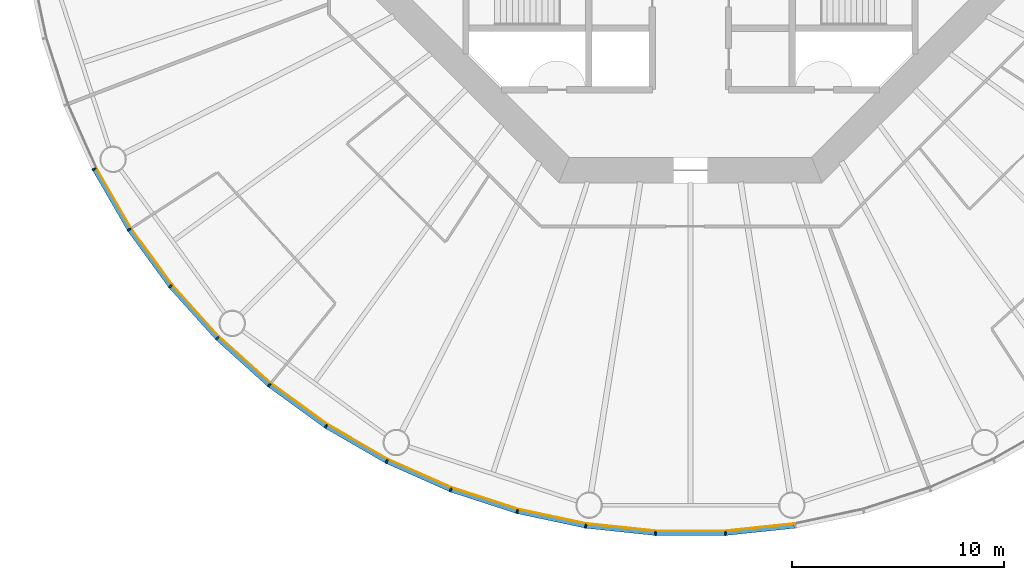
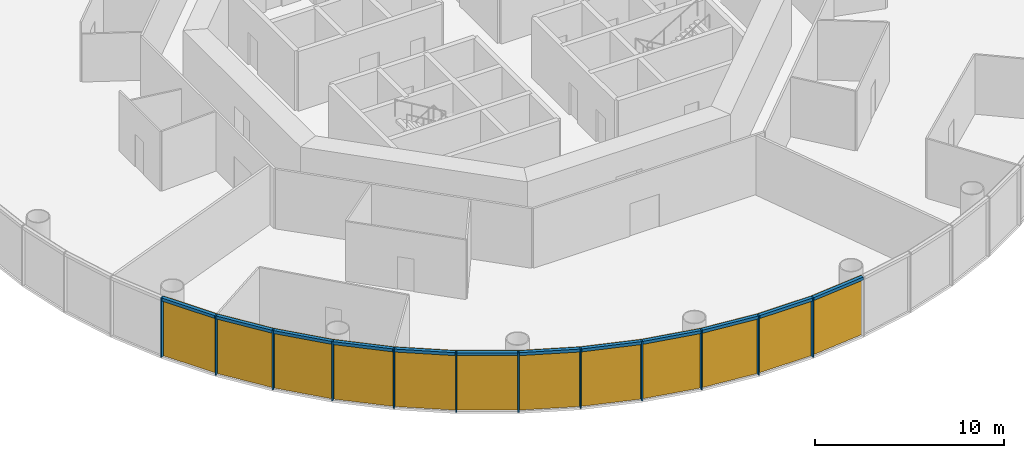
# One storey, part 7 of 13: 24 members, 4 curtain walls.
"""IFC4 building model written with IfcOpenShell, lengths in metres."""

from ifc_helpers import new_model, si_unit, direction, frame, origin, origin_2d, place, context, subcontext, project, spatial, polyline, rectangle, outline, extrude, material, layer, layer_set, material_profile, profile_set, type_object, element, aggregate, save


model = new_model("IFC4")

# Units and contexts
model_context = context("Model", 3, precision=1e-05, world=origin(), true_north=direction((0.0, 1.0)))
body_context = subcontext(model_context, "Body", "Model", "MODEL_VIEW")
ifc_project = project(units=[si_unit("LENGTHUNIT", "METRE"), si_unit("AREAUNIT", "SQUARE_METRE"), si_unit("VOLUMEUNIT", "CUBIC_METRE"), si_unit("PLANEANGLEUNIT", "RADIAN"), si_unit("MASSUNIT", "GRAM", prefix="KILO")], contexts=[model_context])

# Member
ifc_material_1 = material(Name="Anodised aluminium", Category="aluminium")
ifc_material_profile_1 = material_profile(ifc_material_1, rectangle(XDim=0.070068359375, YDim=0.199951171875, at=origin_2d()), Name="Mullion 70 x 200 mm anodised aluminium")
ifc_profile_set_1 = profile_set([ifc_material_profile_1], Name="Anodised aluminium")
member_type_1 = type_object("IfcMemberType", Name="Mullion 70 x 200 mm anodised aluminium", PredefinedType="MULLION", material=ifc_profile_set_1)
site_placement = place(None, origin())
building_placement = place(site_placement, origin())
storey_placement = place(building_placement, frame((0.0, 0.0, 104.0)))
member_1_placement = place(storey_placement, frame((61.84423828125, 65.65380859375, 0.0), z_axis=(0.0, 0.0, 1.0), x_axis=(0.45399049974, -0.891006524188, 0.0)))
member_1 = element("IfcMember", 1, at=member_1_placement, type_object=member_type_1, Name="MULLION L23-33", PredefinedType="MULLION", context=body_context, shape_type="SweptSolid", body=[
    extrude(rectangle(XDim=0.070068359375, YDim=0.199951171875, at=origin_2d()), origin(), (0.0, 0.0, 1.0), 3.85009765625),
])

member_2_placement = place(storey_placement, frame((63.498046875, 62.789306640625, 0.0), z_axis=(0.0, 0.0, 1.0), x_axis=(0.544639035015, -0.838670567945, 0.0)))
member_2 = element("IfcMember", 2, at=member_2_placement, type_object=member_type_1, Name="MULLION L23-34", PredefinedType="MULLION", context=body_context, shape_type="SweptSolid", body=[
    extrude(rectangle(XDim=0.070068359375, YDim=0.199951171875, at=origin_2d()), origin(), (0.0, 0.0, 1.0), 3.85009765625),
])

member_3_placement = place(storey_placement, frame((65.442138671875, 60.113525390625, 0.0), z_axis=(0.0, 0.0, 1.0), x_axis=(0.62932039105, -0.777145961457, 0.0)))
member_3 = element("IfcMember", 3, at=member_3_placement, type_object=member_type_1, Name="MULLION L23-35", PredefinedType="MULLION", context=body_context, shape_type="SweptSolid", body=[
    extrude(rectangle(XDim=0.070068359375, YDim=0.199951171875, at=origin_2d()), origin(), (0.0, 0.0, 1.0), 3.85009765625),
])

member_4_placement = place(storey_placement, frame((67.655517578125, 57.655517578125, 0.0), z_axis=(0.0, 0.0, 1.0), x_axis=(0.707106781187, -0.707106781187, 0.0)))
member_4 = element("IfcMember", 4, at=member_4_placement, type_object=member_type_1, Name="MULLION L23-36", PredefinedType="MULLION", context=body_context, shape_type="SweptSolid", body=[
    extrude(rectangle(XDim=0.070068359375, YDim=0.199951171875, at=origin_2d()), origin(), (0.0, 0.0, 1.0), 3.85009765625),
])

member_5_placement = place(storey_placement, frame((70.113525390625, 55.442138671875, 0.0), z_axis=(0.0, 0.0, 1.0), x_axis=(0.777145961457, -0.62932039105, 0.0)))
member_5 = element("IfcMember", 5, at=member_5_placement, type_object=member_type_1, Name="MULLION L23-37", PredefinedType="MULLION", context=body_context, shape_type="SweptSolid", body=[
    extrude(rectangle(XDim=0.070068359375, YDim=0.199951171875, at=origin_2d()), origin(), (0.0, 0.0, 1.0), 3.85009765625),
])

member_6_placement = place(storey_placement, frame((72.789306640625, 53.498046875, 0.0), z_axis=(0.0, 0.0, 1.0), x_axis=(0.838670567945, -0.544639035015, 0.0)))
member_6 = element("IfcMember", 6, at=member_6_placement, type_object=member_type_1, Name="MULLION L23-38", PredefinedType="MULLION", context=body_context, shape_type="SweptSolid", body=[
    extrude(rectangle(XDim=0.070068359375, YDim=0.199951171875, at=origin_2d()), origin(), (0.0, 0.0, 1.0), 3.85009765625),
])

member_7_placement = place(storey_placement, frame((75.65380859375, 51.84423828125, 0.0), z_axis=(0.0, 0.0, 1.0), x_axis=(0.891006524188, -0.45399049974, 0.0)))
member_7 = element("IfcMember", 7, at=member_7_placement, type_object=member_type_1, Name="MULLION L23-39", PredefinedType="MULLION", context=body_context, shape_type="SweptSolid", body=[
    extrude(rectangle(XDim=0.070068359375, YDim=0.199951171875, at=origin_2d()), origin(), (0.0, 0.0, 1.0), 3.85009765625),
])

member_8_placement = place(storey_placement, frame((78.675537109375, 50.498779296875, 0.0), z_axis=(0.0, 0.0, 1.0), x_axis=(0.933580426497, -0.358367949545, 0.0)))
member_8 = element("IfcMember", 8, at=member_8_placement, type_object=member_type_1, Name="MULLION L23-40", PredefinedType="MULLION", context=body_context, shape_type="SweptSolid", body=[
    extrude(rectangle(XDim=0.070068359375, YDim=0.199951171875, at=origin_2d()), origin(), (0.0, 0.0, 1.0), 3.85009765625),
])

member_9_placement = place(storey_placement, frame((81.8212890625, 49.476806640625, 0.0), z_axis=(0.0, 0.0, 1.0), x_axis=(0.965925826289, -0.258819045103, 0.0)))
member_9 = element("IfcMember", 9, at=member_9_placement, type_object=member_type_1, Name="MULLION L23-41", PredefinedType="MULLION", context=body_context, shape_type="SweptSolid", body=[
    extrude(rectangle(XDim=0.070068359375, YDim=0.199951171875, at=origin_2d()), origin(), (0.0, 0.0, 1.0), 3.85009765625),
])

member_10_placement = place(storey_placement, frame((85.056640625, 48.7890625, 0.0), z_axis=(0.0, 0.0, 1.0), x_axis=(0.987688340595, -0.15643446504, 0.0)))
member_10 = element("IfcMember", 10, at=member_10_placement, type_object=member_type_1, Name="MULLION L23-42", PredefinedType="MULLION", context=body_context, shape_type="SweptSolid", body=[
    extrude(rectangle(XDim=0.070068359375, YDim=0.199951171875, at=origin_2d()), origin(), (0.0, 0.0, 1.0), 3.85009765625),
])

member_11_placement = place(storey_placement, frame((88.34619140625, 48.443359375, 0.0), z_axis=(0.0, 0.0, 1.0), x_axis=(0.998629534755, -0.052335956243, 0.0)))
member_11 = element("IfcMember", 11, at=member_11_placement, type_object=member_type_1, Name="MULLION L23-43", PredefinedType="MULLION", context=body_context, shape_type="SweptSolid", body=[
    extrude(rectangle(XDim=0.070068359375, YDim=0.199951171875, at=origin_2d()), origin(), (0.0, 0.0, 1.0), 3.85009765625),
])

member_12_placement = place(storey_placement, frame((91.65380859375, 48.443359375, 0.0), z_axis=(0.0, 0.0, 1.0), x_axis=(0.998629534755, 0.052335956243, 0.0)))
member_12 = element("IfcMember", 12, at=member_12_placement, type_object=member_type_1, Name="MULLION L23-44", PredefinedType="MULLION", context=body_context, shape_type="SweptSolid", body=[
    extrude(rectangle(XDim=0.070068359375, YDim=0.199951171875, at=origin_2d()), origin(), (0.0, 0.0, 1.0), 3.85009765625),
])

ifc_material_2 = material(Name="Anodised aluminium", Category="aluminium")
ifc_material_profile_2 = material_profile(ifc_material_2, rectangle(XDim=0.199951171875, YDim=0.18994140625, at=origin_2d()), Name="Transom 190 x 200 mm anodised aluminium")
ifc_profile_set_2 = profile_set([ifc_material_profile_2], Name="Anodised aluminium")
member_type_2 = type_object("IfcMemberType", Name="Transom 190 x 200 mm anodised aluminium", PredefinedType="USERDEFINED", material=ifc_profile_set_2)
member_13_placement = place(storey_placement, frame((61.8642578125, 65.618896484375, 3.7548828125), z_axis=(0.500004055213, -0.866023062494, 0.0), x_axis=(0.866023062494, 0.500004055213, 0.0)))
member_13 = element("IfcMember", 13, at=member_13_placement, type_object=member_type_2, Name="TRANSOM L23-33", ObjectType="TRANSOM", PredefinedType="USERDEFINED", context=body_context, shape_type="SweptSolid", body=[
    extrude(rectangle(XDim=0.199951171875, YDim=0.18994140625, at=origin_2d()), origin(), (0.0, 0.0, 1.0), 3.22705078125),
])

member_14_placement = place(storey_placement, frame((63.521484375, 62.7568359375, 3.7548828125), z_axis=(0.587802790201, -0.809004252048, 0.0), x_axis=(0.809004252048, 0.587802790201, 0.0)))
member_14 = element("IfcMember", 14, at=member_14_placement, type_object=member_type_2, Name="TRANSOM L23-34", ObjectType="TRANSOM", PredefinedType="USERDEFINED", context=body_context, shape_type="SweptSolid", body=[
    extrude(rectangle(XDim=0.199951171875, YDim=0.18994140625, at=origin_2d()), origin(), (0.0, 0.0, 1.0), 3.227294921875),
])

member_15_placement = place(storey_placement, frame((65.468994140625, 60.08349609375, 3.7548828125), z_axis=(0.669144438484, -0.743132370743, 0.0), x_axis=(0.743132370743, 0.669144438484, 0.0)))
member_15 = element("IfcMember", 15, at=member_15_placement, type_object=member_type_2, Name="TRANSOM L23-35", ObjectType="TRANSOM", PredefinedType="USERDEFINED", context=body_context, shape_type="SweptSolid", body=[
    extrude(rectangle(XDim=0.199951171875, YDim=0.18994140625, at=origin_2d()), origin(), (0.0, 0.0, 1.0), 3.22705078125),
])

member_16_placement = place(storey_placement, frame((67.685302734375, 57.62841796875, 3.7548828125), z_axis=(0.743132370743, -0.669144438484, 0.0), x_axis=(0.669144438484, 0.743132370743, 0.0)))
member_16 = element("IfcMember", 16, at=member_16_placement, type_object=member_type_2, Name="TRANSOM L23-36", ObjectType="TRANSOM", PredefinedType="USERDEFINED", context=body_context, shape_type="SweptSolid", body=[
    extrude(rectangle(XDim=0.199951171875, YDim=0.18994140625, at=origin_2d()), origin(), (0.0, 0.0, 1.0), 3.22705078125),
])

member_17_placement = place(storey_placement, frame((70.14599609375, 55.41845703125, 3.7548828125), z_axis=(0.809004252048, -0.587802790201, 0.0), x_axis=(0.587802790201, 0.809004252048, 0.0)))
member_17 = element("IfcMember", 17, at=member_17_placement, type_object=member_type_2, Name="TRANSOM L23-37", ObjectType="TRANSOM", PredefinedType="USERDEFINED", context=body_context, shape_type="SweptSolid", body=[
    extrude(rectangle(XDim=0.199951171875, YDim=0.18994140625, at=origin_2d()), origin(), (0.0, 0.0, 1.0), 3.227294921875),
])

member_18_placement = place(storey_placement, frame((72.82421875, 53.477783203125, 3.7548828125), z_axis=(0.866023062494, -0.500004055213, 0.0), x_axis=(0.500004055213, 0.866023062494, 0.0)))
member_18 = element("IfcMember", 18, at=member_18_placement, type_object=member_type_2, Name="TRANSOM L23-38", ObjectType="TRANSOM", PredefinedType="USERDEFINED", context=body_context, shape_type="SweptSolid", body=[
    extrude(rectangle(XDim=0.199951171875, YDim=0.18994140625, at=origin_2d()), origin(), (0.0, 0.0, 1.0), 3.22705078125),
])

member_19_placement = place(storey_placement, frame((75.690673828125, 51.82763671875, 3.7548828125), z_axis=(0.913549291349, -0.406728032322, 0.0), x_axis=(0.406728032322, 0.913549291349, 0.0)))
member_19 = element("IfcMember", 19, at=member_19_placement, type_object=member_type_2, Name="TRANSOM L23-39", ObjectType="TRANSOM", PredefinedType="USERDEFINED", context=body_context, shape_type="SweptSolid", body=[
    extrude(rectangle(XDim=0.199951171875, YDim=0.18994140625, at=origin_2d()), origin(), (0.0, 0.0, 1.0), 3.22705078125),
])

member_20_placement = place(storey_placement, frame((78.7138671875, 50.486328125, 3.7548828125), z_axis=(0.951046855117, -0.309046726844, 0.0), x_axis=(0.309046726844, 0.951046855117, 0.0)))
member_20 = element("IfcMember", 20, at=member_20_placement, type_object=member_type_2, Name="TRANSOM L23-40", ObjectType="TRANSOM", PredefinedType="USERDEFINED", context=body_context, shape_type="SweptSolid", body=[
    extrude(rectangle(XDim=0.199951171875, YDim=0.18994140625, at=origin_2d()), origin(), (0.0, 0.0, 1.0), 3.22705078125),
])

member_21_placement = place(storey_placement, frame((81.860595703125, 49.46826171875, 3.7548828125), z_axis=(0.978153082647, -0.207885898771, 0.0), x_axis=(0.207885898771, 0.978153082647, 0.0)))
member_21 = element("IfcMember", 21, at=member_21_placement, type_object=member_type_2, Name="TRANSOM L23-41", ObjectType="TRANSOM", PredefinedType="USERDEFINED", context=body_context, shape_type="SweptSolid", body=[
    extrude(rectangle(XDim=0.199951171875, YDim=0.18994140625, at=origin_2d()), origin(), (0.0, 0.0, 1.0), 3.227294921875),
])

member_22_placement = place(storey_placement, frame((85.0966796875, 48.78466796875, 3.7548828125), z_axis=(0.994519537956, -0.104550890115, 0.0), x_axis=(0.104550890115, 0.994519537956, 0.0)))
member_22 = element("IfcMember", 22, at=member_22_placement, type_object=member_type_2, Name="TRANSOM L23-42", ObjectType="TRANSOM", PredefinedType="USERDEFINED", context=body_context, shape_type="SweptSolid", body=[
    extrude(rectangle(XDim=0.199951171875, YDim=0.18994140625, at=origin_2d()), origin(), (0.0, 0.0, 1.0), 3.22705078125),
])

member_23_placement = place(storey_placement, frame((88.386474609375, 48.443115234375, 3.7548828125), z_axis=(1.0, 0.0, 0.0), x_axis=(0.0, 1.0, 0.0)))
member_23 = element("IfcMember", 23, at=member_23_placement, type_object=member_type_2, Name="TRANSOM L23-43", ObjectType="TRANSOM", PredefinedType="USERDEFINED", context=body_context, shape_type="SweptSolid", body=[
    extrude(rectangle(XDim=0.199951171875, YDim=0.18994140625, at=origin_2d()), origin(), (0.0, 0.0, 1.0), 3.22705078125),
])

member_24_placement = place(storey_placement, frame((91.69384765625, 48.447265625, 3.7548828125), z_axis=(0.994519537956, 0.104550890115, 0.0), x_axis=(-0.104550890115, 0.994519537956, 0.0)))
member_24 = element("IfcMember", 24, at=member_24_placement, type_object=member_type_2, Name="TRANSOM L23-44", ObjectType="TRANSOM", PredefinedType="USERDEFINED", context=body_context, shape_type="SweptSolid", body=[
    extrude(rectangle(XDim=0.199951171875, YDim=0.18994140625, at=origin_2d()), origin(), (0.0, 0.0, 1.0), 3.22705078125),
])

# Site, building, storey
site = spatial("IfcSite", under=ifc_project, at=site_placement, CompositionType="ELEMENT")
building = spatial("IfcBuilding", under=site, at=building_placement, Name="Entoto Ring Tower", CompositionType="ELEMENT")
storey = spatial("IfcBuildingStorey", under=building, at=storey_placement, Name="L23", CompositionType="ELEMENT", Elevation=104.0)

# Curtain wall
ifc_material_3 = material(Name="Clear low-iron glass", Category="glass")
ifc_layer = layer(ifc_material_3, 0.035888671875)
ifc_layer_set = layer_set([ifc_layer], Name="Clear low-iron glass")
curtain_wall_type = type_object("IfcCurtainWallType", Name="Curtain wall system CW2 glazing 36 mm", PredefinedType="NOTDEFINED", material=ifc_layer_set)
curtain_wall_1_placement = place(storey_placement, origin())
curtain_wall_1 = element("IfcCurtainWall", 25, at=curtain_wall_1_placement, inside=storey, type_object=curtain_wall_type, Name="CW2 L23-12", PredefinedType="NOTDEFINED", context=body_context, shape_type="SweptSolid", body=[
    extrude(outline(polyline([(61.933349609375, 65.69921875), (63.581787109375, 62.84375), (65.52001953125, 60.176513671875), (67.72607421875, 57.72607421875), (67.751708984375, 57.751708984375), (65.5478515625, 60.198974609375), (63.612060546875, 62.863525390625), (61.96533203125, 65.715576171875), (61.933349609375, 65.69921875)])), origin(), (0.0, 0.0, 1.0), 3.85009765625),
])

aggregate(curtain_wall_1, [member_1, member_2, member_3, member_13, member_14, member_15])

curtain_wall_2_placement = place(storey_placement, origin())
curtain_wall_2 = element("IfcCurtainWall", 26, at=curtain_wall_2_placement, inside=storey, type_object=curtain_wall_type, Name="CW2 L23-13", PredefinedType="NOTDEFINED", context=body_context, shape_type="SweptSolid", body=[
    extrude(outline(polyline([(67.72607421875, 57.72607421875), (70.176513671875, 55.52001953125), (72.84375, 53.581787109375), (75.69921875, 51.933349609375), (75.715576171875, 51.96533203125), (72.863525390625, 53.612060546875), (70.198974609375, 55.5478515625), (67.751708984375, 57.751708984375), (67.72607421875, 57.72607421875)])), origin(), (0.0, 0.0, 1.0), 3.85009765625),
])

aggregate(curtain_wall_2, [member_4, member_5, member_6, member_16, member_17, member_18])

curtain_wall_3_placement = place(storey_placement, origin())
curtain_wall_3 = element("IfcCurtainWall", 27, at=curtain_wall_3_placement, inside=storey, type_object=curtain_wall_type, Name="CW2 L23-14", PredefinedType="NOTDEFINED", context=body_context, shape_type="SweptSolid", body=[
    extrude(outline(polyline([(75.69921875, 51.933349609375), (78.71142578125, 50.59228515625), (81.84716796875, 49.5732421875), (85.072265625, 48.8876953125), (85.077880859375, 48.92333984375), (81.8564453125, 49.608154296875), (78.724365234375, 50.6259765625), (75.715576171875, 51.96533203125), (75.69921875, 51.933349609375)])), origin(), (0.0, 0.0, 1.0), 3.85009765625),
])

aggregate(curtain_wall_3, [member_7, member_8, member_9, member_19, member_20, member_21])

curtain_wall_4_placement = place(storey_placement, origin())
curtain_wall_4 = element("IfcCurtainWall", 28, at=curtain_wall_4_placement, inside=storey, type_object=curtain_wall_type, Name="CW2 L23-15", PredefinedType="NOTDEFINED", context=body_context, shape_type="SweptSolid", body=[
    extrude(outline(polyline([(85.072265625, 48.8876953125), (88.351318359375, 48.543212890625), (91.648681640625, 48.543212890625), (94.927734375, 48.8876953125), (94.922119140625, 48.92333984375), (91.646728515625, 48.5791015625), (88.353271484375, 48.5791015625), (85.077880859375, 48.92333984375), (85.072265625, 48.8876953125)])), origin(), (0.0, 0.0, 1.0), 3.85009765625),
])

aggregate(curtain_wall_4, [member_10, member_11, member_12, member_22, member_23, member_24])

save(model, "model.ifc")
